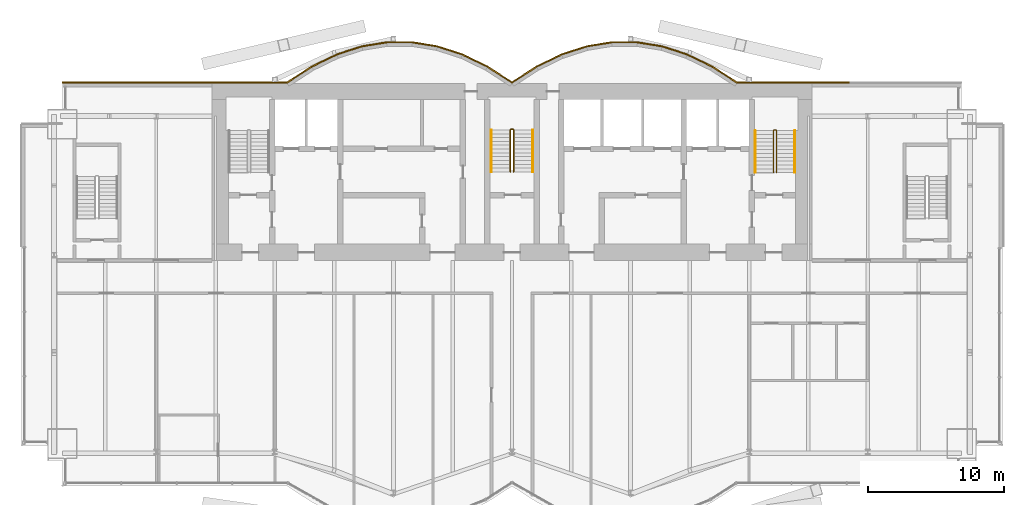
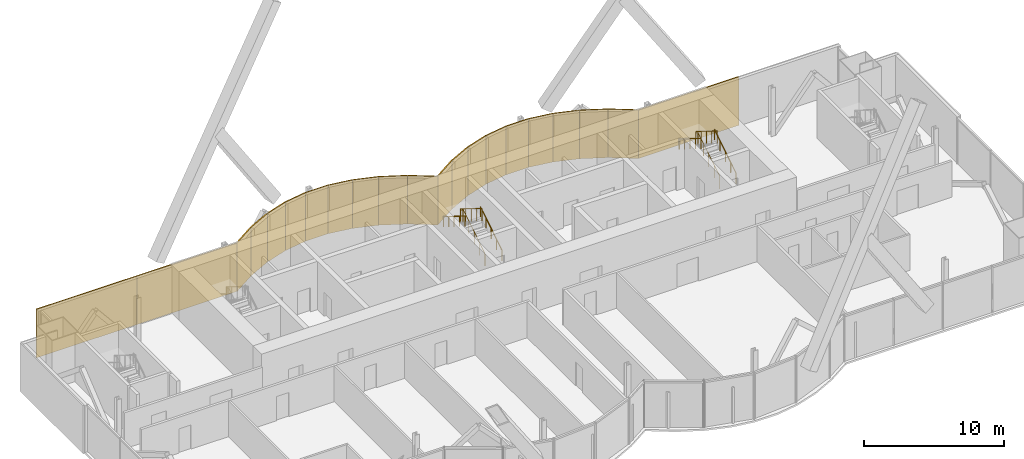
# One storey, part 21 of 22: 21 coverings, 6 railings.
"""IFC4 building model written with IfcOpenShell, lengths in metres."""

from ifc_helpers import new_model, si_unit, direction, frame, origin, origin_2d, place, context, subcontext, project, spatial, rectangle, circle, extrude, material, layer, layer_set, type_object, element, save


model = new_model("IFC4")

# Units and contexts
model_context = context("Model", 3, precision=1e-05, world=origin(), true_north=direction((0.0, 1.0)))
body_context = subcontext(model_context, "Body", "Model", "MODEL_VIEW")
ifc_project = project(units=[si_unit("LENGTHUNIT", "METRE"), si_unit("AREAUNIT", "SQUARE_METRE"), si_unit("VOLUMEUNIT", "CUBIC_METRE"), si_unit("PLANEANGLEUNIT", "RADIAN"), si_unit("MASSUNIT", "GRAM", prefix="KILO")], contexts=[model_context])

# Site, building, storey
site_placement = place(None, origin())
site = spatial("IfcSite", under=ifc_project, at=site_placement, CompositionType="ELEMENT")
building_placement = place(site_placement, origin())
building = spatial("IfcBuilding", under=site, at=building_placement, Name="Bicima Exchange Tower", CompositionType="ELEMENT")
storey_placement = place(building_placement, frame((0.0, 0.0, 254.0)))
storey = spatial("IfcBuildingStorey", under=building, at=storey_placement, Name="L57", CompositionType="ELEMENT", Elevation=254.0)

# Coverings
ifc_material_1 = material(Name="Bronze metal cladding")
ifc_layer_1 = layer(ifc_material_1, 0.004)
ifc_material_2 = material(Name="Ventilated cavity")
ifc_layer_2 = layer(ifc_material_2, 0.06)
ifc_material_3 = material(Name="Galvanised steel rail and mineral wool", Category="steel")
ifc_layer_3 = layer(ifc_material_3, 0.036)
ifc_layer_set = layer_set([ifc_layer_1, ifc_layer_2, ifc_layer_3], Name="Ventilated cavity")
covering_type = type_object("IfcCoveringType", Name="Bronze metal cladding panel 100", PredefinedType="CLADDING", material=ifc_layer_set)
covering_1_placement = place(storey_placement, frame((20.625, 0.050048828125, -0.14990234375), z_axis=(0.0, 0.0, 1.0), x_axis=(-1.0, 0.0, 0.0)))
element("IfcCovering", 1, at=covering_1_placement, inside=storey, type_object=covering_type, Name="Bronze cladding L57 1.2", PredefinedType="CLADDING", context=body_context, shape_type="SweptSolid", body=[
    extrude(rectangle(XDim=8.25, YDim=0.10009765625, at=origin_2d()), origin(), (0.0, 0.0, 1.0), 4.199951171875),
])
covering_2_placement = place(storey_placement, frame((15.610595703125, 0.634521484375, -0.14990234375), z_axis=(0.0, 0.0, 1.0), x_axis=(-0.839790466384, 0.542910648791, 0.0)))
element("IfcCovering", 2, at=covering_2_placement, inside=storey, type_object=covering_type, Name="Bronze cladding L57 2.1", PredefinedType="CLADDING", context=body_context, shape_type="SweptSolid", body=[
    extrude(rectangle(XDim=2.18310546875, YDim=0.10009765625, at=origin_2d()), origin(), (0.0, 0.0, 1.0), 4.199951171875),
])
covering_3_placement = place(storey_placement, frame((13.771728515625, 1.674560546875, -0.14990234375), z_axis=(0.0, 0.0, 1.0), x_axis=(-0.899818346812, 0.436264762204, 0.0)))
element("IfcCovering", 3, at=covering_3_placement, inside=storey, type_object=covering_type, Name="Bronze cladding L57 3.1", PredefinedType="CLADDING", context=body_context, shape_type="SweptSolid", body=[
    extrude(rectangle(XDim=2.03759765625, YDim=0.10009765625, at=origin_2d()), origin(), (0.0, 0.0, 1.0), 4.199951171875),
])
covering_4_placement = place(storey_placement, frame((11.931884765625, 2.41796875, -0.14990234375), z_axis=(0.0, 0.0, 1.0), x_axis=(-0.951524642381, 0.307572519808, 0.0)))
element("IfcCovering", 4, at=covering_4_placement, inside=storey, type_object=covering_type, Name="Bronze cladding L57 4.1", PredefinedType="CLADDING", context=body_context, shape_type="SweptSolid", body=[
    extrude(rectangle(XDim=1.9267578125, YDim=0.10009765625, at=origin_2d()), origin(), (0.0, 0.0, 1.0), 4.199951171875),
])
covering_5_placement = place(storey_placement, frame((10.09130859375, 2.8642578125, -0.14990234375), z_axis=(0.0, 0.0, 1.0), x_axis=(-0.987189786347, 0.159550386184, 0.0)))
element("IfcCovering", 5, at=covering_5_placement, inside=storey, type_object=covering_type, Name="Bronze cladding L57 5.1", PredefinedType="CLADDING", context=body_context, shape_type="SweptSolid", body=[
    extrude(rectangle(XDim=1.857177734375, YDim=0.10009765625, at=origin_2d()), origin(), (0.0, 0.0, 1.0), 4.199951171875),
])
covering_6_placement = place(storey_placement, frame((8.25, 3.012939453125, -0.14990234375), z_axis=(0.0, 0.0, 1.0), x_axis=(-1.0, 0.0, 0.0)))
element("IfcCovering", 6, at=covering_6_placement, inside=storey, type_object=covering_type, Name="Bronze cladding L57 6.1", PredefinedType="CLADDING", context=body_context, shape_type="SweptSolid", body=[
    extrude(rectangle(XDim=1.83349609375, YDim=0.10009765625, at=origin_2d()), origin(), (0.0, 0.0, 1.0), 4.199951171875),
])
covering_7_placement = place(storey_placement, frame((6.40869140625, 2.8642578125, -0.14990234375), z_axis=(0.0, 0.0, 1.0), x_axis=(-0.987189786347, -0.159550386184, 0.0)))
element("IfcCovering", 7, at=covering_7_placement, inside=storey, type_object=covering_type, Name="Bronze cladding L57 7.1", PredefinedType="CLADDING", context=body_context, shape_type="SweptSolid", body=[
    extrude(rectangle(XDim=1.857177734375, YDim=0.10009765625, at=origin_2d()), origin(), (0.0, 0.0, 1.0), 4.199951171875),
])
covering_8_placement = place(storey_placement, frame((4.568115234375, 2.41796875, -0.14990234375), z_axis=(0.0, 0.0, 1.0), x_axis=(-0.951524642381, -0.307572519808, 0.0)))
element("IfcCovering", 8, at=covering_8_placement, inside=storey, type_object=covering_type, Name="Bronze cladding L57 8.1", PredefinedType="CLADDING", context=body_context, shape_type="SweptSolid", body=[
    extrude(rectangle(XDim=1.9267578125, YDim=0.10009765625, at=origin_2d()), origin(), (0.0, 0.0, 1.0), 4.199951171875),
])
covering_9_placement = place(storey_placement, frame((2.728271484375, 1.674560546875, -0.14990234375), z_axis=(0.0, 0.0, 1.0), x_axis=(-0.899818346812, -0.436264762204, 0.0)))
element("IfcCovering", 9, at=covering_9_placement, inside=storey, type_object=covering_type, Name="Bronze cladding L57 9.1", PredefinedType="CLADDING", context=body_context, shape_type="SweptSolid", body=[
    extrude(rectangle(XDim=2.03759765625, YDim=0.10009765625, at=origin_2d()), origin(), (0.0, 0.0, 1.0), 4.199951171875),
])
for number, where, z_axis, x_axis, name in (
    (10, (0.889404296875, 0.634521484375, -0.14990234375), (0.0, 0.0, 1.0), (-0.839790466384, -0.542910648791, 0.0), "Bronze cladding L57 10.1"),
    (11, (-0.889404296875, 0.634521484375, -0.14990234375), (0.0, 0.0, 1.0), (-0.839790466384, 0.542910648791, 0.0), "Bronze cladding L57 11.1"),
):
    element("IfcCovering", number, at=place(storey_placement, frame(where, z_axis=z_axis, x_axis=x_axis)), inside=storey, type_object=covering_type, Name=name, PredefinedType="CLADDING", context=body_context, shape_type="SweptSolid", body=[
        extrude(rectangle(XDim=2.18310546875, YDim=0.10009765625, at=origin_2d()), origin(), (0.0, 0.0, 1.0), 4.199951171875),
    ])
covering_10_placement = place(storey_placement, frame((-2.728271484375, 1.674560546875, -0.14990234375), z_axis=(0.0, 0.0, 1.0), x_axis=(-0.899818346812, 0.436264762204, 0.0)))
element("IfcCovering", 12, at=covering_10_placement, inside=storey, type_object=covering_type, Name="Bronze cladding L57 12.1", PredefinedType="CLADDING", context=body_context, shape_type="SweptSolid", body=[
    extrude(rectangle(XDim=2.03759765625, YDim=0.10009765625, at=origin_2d()), origin(), (0.0, 0.0, 1.0), 4.199951171875),
])
covering_11_placement = place(storey_placement, frame((-4.568115234375, 2.41796875, -0.14990234375), z_axis=(0.0, 0.0, 1.0), x_axis=(-0.951524642381, 0.307572519808, 0.0)))
element("IfcCovering", 13, at=covering_11_placement, inside=storey, type_object=covering_type, Name="Bronze cladding L57 13.1", PredefinedType="CLADDING", context=body_context, shape_type="SweptSolid", body=[
    extrude(rectangle(XDim=1.9267578125, YDim=0.10009765625, at=origin_2d()), origin(), (0.0, 0.0, 1.0), 4.199951171875),
])
covering_12_placement = place(storey_placement, frame((-6.40869140625, 2.8642578125, -0.14990234375), z_axis=(0.0, 0.0, 1.0), x_axis=(-0.987189786347, 0.159550386184, 0.0)))
element("IfcCovering", 14, at=covering_12_placement, inside=storey, type_object=covering_type, Name="Bronze cladding L57 14.1", PredefinedType="CLADDING", context=body_context, shape_type="SweptSolid", body=[
    extrude(rectangle(XDim=1.857177734375, YDim=0.10009765625, at=origin_2d()), origin(), (0.0, 0.0, 1.0), 4.199951171875),
])
covering_13_placement = place(storey_placement, frame((-8.25, 3.012939453125, -0.14990234375), z_axis=(0.0, 0.0, 1.0), x_axis=(-1.0, 0.0, 0.0)))
element("IfcCovering", 15, at=covering_13_placement, inside=storey, type_object=covering_type, Name="Bronze cladding L57 15.1", PredefinedType="CLADDING", context=body_context, shape_type="SweptSolid", body=[
    extrude(rectangle(XDim=1.83349609375, YDim=0.10009765625, at=origin_2d()), origin(), (0.0, 0.0, 1.0), 4.199951171875),
])
covering_14_placement = place(storey_placement, frame((-10.09130859375, 2.8642578125, -0.14990234375), z_axis=(0.0, 0.0, 1.0), x_axis=(-0.987189786347, -0.159550386184, 0.0)))
element("IfcCovering", 16, at=covering_14_placement, inside=storey, type_object=covering_type, Name="Bronze cladding L57 16.1", PredefinedType="CLADDING", context=body_context, shape_type="SweptSolid", body=[
    extrude(rectangle(XDim=1.857177734375, YDim=0.10009765625, at=origin_2d()), origin(), (0.0, 0.0, 1.0), 4.199951171875),
])
covering_15_placement = place(storey_placement, frame((-11.931884765625, 2.41796875, -0.14990234375), z_axis=(0.0, 0.0, 1.0), x_axis=(-0.951524642381, -0.307572519808, 0.0)))
element("IfcCovering", 17, at=covering_15_placement, inside=storey, type_object=covering_type, Name="Bronze cladding L57 17.1", PredefinedType="CLADDING", context=body_context, shape_type="SweptSolid", body=[
    extrude(rectangle(XDim=1.9267578125, YDim=0.10009765625, at=origin_2d()), origin(), (0.0, 0.0, 1.0), 4.199951171875),
])
covering_16_placement = place(storey_placement, frame((-13.771728515625, 1.674560546875, -0.14990234375), z_axis=(0.0, 0.0, 1.0), x_axis=(-0.899818346812, -0.436264762204, 0.0)))
element("IfcCovering", 18, at=covering_16_placement, inside=storey, type_object=covering_type, Name="Bronze cladding L57 18.1", PredefinedType="CLADDING", context=body_context, shape_type="SweptSolid", body=[
    extrude(rectangle(XDim=2.03759765625, YDim=0.10009765625, at=origin_2d()), origin(), (0.0, 0.0, 1.0), 4.199951171875),
])
covering_17_placement = place(storey_placement, frame((-15.610595703125, 0.634521484375, -0.14990234375), z_axis=(0.0, 0.0, 1.0), x_axis=(-0.839790466384, -0.542910648791, 0.0)))
element("IfcCovering", 19, at=covering_17_placement, inside=storey, type_object=covering_type, Name="Bronze cladding L57 19.1", PredefinedType="CLADDING", context=body_context, shape_type="SweptSolid", body=[
    extrude(rectangle(XDim=2.18310546875, YDim=0.10009765625, at=origin_2d()), origin(), (0.0, 0.0, 1.0), 4.199951171875),
])
for number, where, z_axis, x_axis, name in (
    (20, (-20.625, 0.050048828125, -0.14990234375), (0.0, 0.0, 1.0), (-1.0, 0.0, 0.0), "Bronze cladding L57 20.1"),
    (21, (-28.875, 0.050048828125, -0.14990234375), (0.0, 0.0, 1.0), (-1.0, 0.0, 0.0), "Bronze cladding L57 20.2"),
):
    element("IfcCovering", number, at=place(storey_placement, frame(where, z_axis=z_axis, x_axis=x_axis)), inside=storey, type_object=covering_type, Name=name, PredefinedType="CLADDING", context=body_context, shape_type="SweptSolid", body=[
        extrude(rectangle(XDim=8.25, YDim=0.10009765625, at=origin_2d()), origin(), (0.0, 0.0, 1.0), 4.199951171875),
    ])

# Railings
ifc_material_4 = material(Name="Stainless steel", Category="steel")
railing_type_1 = type_object("IfcRailingType", Name="Stair guard 1100", PredefinedType="GUARDRAIL", material=ifc_material_4)
railing_1_placement = place(storey_placement, frame((0.125, -6.5, 0.175048828125)))
element("IfcRailing", 22, at=railing_1_placement, inside=storey, type_object=railing_type_1, Name="L57 ST-C stair guard 1", PredefinedType="GUARDRAIL", context=body_context, shape_type="SweptSolid", body=[
    extrude(circle(Radius=0.02392578125, at=origin_2d()), frame((0.0, 0.0, 1.076171875), z_axis=(0.0, 0.847998304005, 0.529998940003), x_axis=(-1.0, 0.0, 0.0)), (0.0, 0.0, 1.0), 3.632080078125),
    extrude(circle(Radius=0.02392578125, at=origin_2d()), frame((0.0, 3.080078125, 3.0009765625), z_axis=(-0.708833529934, 0.705375805398, 0.0), x_axis=(-0.705375805398, -0.708833529934, 0.0)), (0.0, 0.0, 1.0), 0.070556640625),
    extrude(circle(Radius=0.02392578125, at=origin_2d()), frame((-0.050048828125, 3.1298828125, 3.0009765625), z_axis=(-1.0, 0.0, 0.0), x_axis=(0.0, -1.0, 0.0)), (0.0, 0.0, 1.0), 0.14990234375),
    extrude(circle(Radius=0.02392578125, at=origin_2d()), frame((-0.199951171875, 3.1298828125, 3.0009765625), z_axis=(-0.265474339444, -0.264179342666, 0.927217692888), x_axis=(0.705375805398, -0.708833529934, 0.0)), (0.0, 0.0, 1.0), 0.1884765625),
    extrude(circle(Radius=0.02392578125, at=origin_2d()), frame((-0.25, 3.080078125, 3.17578125), z_axis=(0.0, -0.847998304005, 0.529998940003), x_axis=(1.0, 0.0, 0.0)), (0.0, 0.0, 1.0), 3.632080078125),
    extrude(circle(Radius=0.02099609375, at=origin_2d()), origin(), (0.0, 0.0, 1.0), 1.052001953125),
    extrude(circle(Radius=0.02099609375, at=origin_2d()), frame((0.0, 0.77001953125, 0.481201171875)), (0.0, 0.0, 1.0), 1.052001953125),
    extrude(circle(Radius=0.02099609375, at=origin_2d()), frame((0.0, 1.5400390625, 0.96240234375)), (0.0, 0.0, 1.0), 1.052001953125),
    extrude(circle(Radius=0.02099609375, at=origin_2d()), frame((0.0, 2.31005859375, 1.44384765625)), (0.0, 0.0, 1.0), 1.052001953125),
    extrude(circle(Radius=0.02099609375, at=origin_2d()), frame((0.0, 3.080078125, 1.925048828125)), (0.0, 0.0, 1.0), 1.052001953125),
    extrude(circle(Radius=0.02099609375, at=origin_2d()), frame((-0.050048828125, 3.1298828125, 1.925048828125)), (0.0, 0.0, 1.0), 1.052001953125),
    extrude(circle(Radius=0.02099609375, at=origin_2d()), frame((-0.199951171875, 3.1298828125, 1.925048828125)), (0.0, 0.0, 1.0), 1.052001953125),
    extrude(circle(Radius=0.02099609375, at=origin_2d()), frame((-0.25, 3.080078125, 2.099853515625)), (0.0, 0.0, 1.0), 1.052001953125),
    extrude(circle(Radius=0.02099609375, at=origin_2d()), frame((-0.25, 2.31005859375, 2.5810546875)), (0.0, 0.0, 1.0), 1.052001953125),
    extrude(circle(Radius=0.02099609375, at=origin_2d()), frame((-0.25, 1.5400390625, 3.0625)), (0.0, 0.0, 1.0), 1.052001953125),
    extrude(circle(Radius=0.02099609375, at=origin_2d()), frame((-0.25, 0.77001953125, 3.543701171875)), (0.0, 0.0, 1.0), 1.052001953125),
    extrude(circle(Radius=0.02099609375, at=origin_2d()), frame((-0.25, 0.0, 4.02490234375)), (0.0, 0.0, 1.0), 1.052001953125),
])
railing_2_placement = place(storey_placement, frame((19.39990234375, -6.550048828125, 0.175048828125)))
element("IfcRailing", 23, at=railing_2_placement, inside=storey, type_object=railing_type_1, Name="L57 ST-E stair guard 1", PredefinedType="GUARDRAIL", context=body_context, shape_type="SweptSolid", body=[
    extrude(circle(Radius=0.02392578125, at=origin_2d()), frame((0.0, 0.0, 1.076171875), z_axis=(0.0, 0.847998304005, 0.529998940003), x_axis=(-1.0, 0.0, 0.0)), (0.0, 0.0, 1.0), 3.632080078125),
    extrude(circle(Radius=0.02392578125, at=origin_2d()), frame((0.0, 3.080078125, 3.0009765625), z_axis=(-0.705375805398, 0.708833529934, 0.0), x_axis=(-0.708833529934, -0.705375805398, 0.0)), (0.0, 0.0, 1.0), 0.070556640625),
    extrude(circle(Radius=0.02392578125, at=origin_2d()), frame((-0.0498046875, 3.130126953125, 3.0009765625), z_axis=(-1.0, 0.0, 0.0), x_axis=(0.0, -1.0, 0.0)), (0.0, 0.0, 1.0), 0.10009765625),
    extrude(circle(Radius=0.02392578125, at=origin_2d()), frame((-0.14990234375, 3.130126953125, 3.0009765625), z_axis=(-0.265383341853, -0.265383341853, 0.926899867156), x_axis=(0.707106781187, -0.707106781187, 0.0)), (0.0, 0.0, 1.0), 0.1884765625),
    extrude(circle(Radius=0.02392578125, at=origin_2d()), frame((-0.199951171875, 3.080078125, 3.17578125), z_axis=(0.0, -0.847998304005, 0.529998940003), x_axis=(1.0, 0.0, 0.0)), (0.0, 0.0, 1.0), 3.632080078125),
    extrude(circle(Radius=0.02099609375, at=origin_2d()), origin(), (0.0, 0.0, 1.0), 1.052001953125),
    extrude(circle(Radius=0.02099609375, at=origin_2d()), frame((0.0, 0.77001953125, 0.481201171875)), (0.0, 0.0, 1.0), 1.052001953125),
    extrude(circle(Radius=0.02099609375, at=origin_2d()), frame((0.0, 1.5400390625, 0.96240234375)), (0.0, 0.0, 1.0), 1.052001953125),
    extrude(circle(Radius=0.02099609375, at=origin_2d()), frame((0.0, 2.31005859375, 1.44384765625)), (0.0, 0.0, 1.0), 1.052001953125),
    extrude(circle(Radius=0.02099609375, at=origin_2d()), frame((0.0, 3.080078125, 1.925048828125)), (0.0, 0.0, 1.0), 1.052001953125),
    extrude(circle(Radius=0.02099609375, at=origin_2d()), frame((-0.0498046875, 3.130126953125, 1.925048828125)), (0.0, 0.0, 1.0), 1.052001953125),
    extrude(circle(Radius=0.02099609375, at=origin_2d()), frame((-0.14990234375, 3.130126953125, 1.925048828125)), (0.0, 0.0, 1.0), 1.052001953125),
    extrude(circle(Radius=0.02099609375, at=origin_2d()), frame((-0.199951171875, 3.080078125, 2.099853515625)), (0.0, 0.0, 1.0), 1.052001953125),
    extrude(circle(Radius=0.02099609375, at=origin_2d()), frame((-0.199951171875, 2.31005859375, 2.5810546875)), (0.0, 0.0, 1.0), 1.052001953125),
    extrude(circle(Radius=0.02099609375, at=origin_2d()), frame((-0.199951171875, 1.5400390625, 3.0625)), (0.0, 0.0, 1.0), 1.052001953125),
    extrude(circle(Radius=0.02099609375, at=origin_2d()), frame((-0.199951171875, 0.77001953125, 3.543701171875)), (0.0, 0.0, 1.0), 1.052001953125),
    extrude(circle(Radius=0.02099609375, at=origin_2d()), frame((-0.199951171875, 0.0, 4.02490234375)), (0.0, 0.0, 1.0), 1.052001953125),
])
railing_type_2 = type_object("IfcRailingType", Name="Stair handrail 900", PredefinedType="HANDRAIL", material=ifc_material_4)
railing_3_placement = place(storey_placement, frame((1.52490234375, -6.5, 0.175048828125)))
element("IfcRailing", 24, at=railing_3_placement, inside=storey, type_object=railing_type_2, Name="L57 ST-C stair handrail 1", PredefinedType="HANDRAIL", context=body_context, shape_type="SweptSolid", body=[
    extrude(circle(Radius=0.02392578125, at=origin_2d()), frame((0.0, 0.0, 0.8759765625), z_axis=(0.0, 0.847998304005, 0.529998940003), x_axis=(-1.0, 0.0, 0.0)), (0.0, 0.0, 1.0), 3.632080078125),
    extrude(circle(Radius=0.02099609375, at=origin_2d()), origin(), (0.0, 0.0, 1.0), 0.851806640625),
    extrude(circle(Radius=0.02099609375, at=origin_2d()), frame((0.0, 0.77001953125, 0.481201171875)), (0.0, 0.0, 1.0), 0.851806640625),
    extrude(circle(Radius=0.02099609375, at=origin_2d()), frame((0.0, 1.5400390625, 0.96240234375)), (0.0, 0.0, 1.0), 0.851806640625),
    extrude(circle(Radius=0.02099609375, at=origin_2d()), frame((0.0, 2.31005859375, 1.44384765625)), (0.0, 0.0, 1.0), 0.851806640625),
    extrude(circle(Radius=0.02099609375, at=origin_2d()), frame((0.0, 3.080078125, 1.925048828125)), (0.0, 0.0, 1.0), 0.851806640625),
])
railing_4_placement = place(storey_placement, frame((-1.52490234375, -3.419921875, 2.303955078125)))
element("IfcRailing", 25, at=railing_4_placement, inside=storey, type_object=railing_type_2, Name="L57 ST-C stair handrail 2", PredefinedType="HANDRAIL", context=body_context, shape_type="SweptSolid", body=[
    extrude(circle(Radius=0.02392578125, at=origin_2d()), frame((0.0, 0.0, 0.8759765625), z_axis=(0.0, -0.847998304005, 0.529998940003), x_axis=(1.0, 0.0, 0.0)), (0.0, 0.0, 1.0), 3.632080078125),
    extrude(circle(Radius=0.02099609375, at=origin_2d()), origin(), (0.0, 0.0, 1.0), 0.851806640625),
    extrude(circle(Radius=0.02099609375, at=origin_2d()), frame((0.0, -0.77001953125, 0.481201171875)), (0.0, 0.0, 1.0), 0.851806640625),
    extrude(circle(Radius=0.02099609375, at=origin_2d()), frame((0.0, -1.5400390625, 0.96240234375)), (0.0, 0.0, 1.0), 0.851806640625),
    extrude(circle(Radius=0.02099609375, at=origin_2d()), frame((0.0, -2.31005859375, 1.44384765625)), (0.0, 0.0, 1.0), 0.851806640625),
    extrude(circle(Radius=0.02099609375, at=origin_2d()), frame((0.0, -3.080078125, 1.925048828125)), (0.0, 0.0, 1.0), 0.851806640625),
])
railing_5_placement = place(storey_placement, frame((20.75, -6.550048828125, 0.175048828125)))
element("IfcRailing", 26, at=railing_5_placement, inside=storey, type_object=railing_type_2, Name="L57 ST-E stair handrail 1", PredefinedType="HANDRAIL", context=body_context, shape_type="SweptSolid", body=[
    extrude(circle(Radius=0.02392578125, at=origin_2d()), frame((0.0, 0.0, 0.8759765625), z_axis=(0.0, 0.847998304005, 0.529998940003), x_axis=(-1.0, 0.0, 0.0)), (0.0, 0.0, 1.0), 3.632080078125),
    extrude(circle(Radius=0.02099609375, at=origin_2d()), origin(), (0.0, 0.0, 1.0), 0.851806640625),
    extrude(circle(Radius=0.02099609375, at=origin_2d()), frame((0.0, 0.77001953125, 0.481201171875)), (0.0, 0.0, 1.0), 0.851806640625),
    extrude(circle(Radius=0.02099609375, at=origin_2d()), frame((0.0, 1.5400390625, 0.96240234375)), (0.0, 0.0, 1.0), 0.851806640625),
    extrude(circle(Radius=0.02099609375, at=origin_2d()), frame((0.0, 2.31005859375, 1.44384765625)), (0.0, 0.0, 1.0), 0.851806640625),
    extrude(circle(Radius=0.02099609375, at=origin_2d()), frame((0.0, 3.080078125, 1.925048828125)), (0.0, 0.0, 1.0), 0.851806640625),
])
railing_6_placement = place(storey_placement, frame((17.85009765625, -3.469970703125, 2.303955078125)))
element("IfcRailing", 27, at=railing_6_placement, inside=storey, type_object=railing_type_2, Name="L57 ST-E stair handrail 2", PredefinedType="HANDRAIL", context=body_context, shape_type="SweptSolid", body=[
    extrude(circle(Radius=0.02392578125, at=origin_2d()), frame((0.0, 0.0, 0.8759765625), z_axis=(0.0, -0.847998304005, 0.529998940003), x_axis=(1.0, 0.0, 0.0)), (0.0, 0.0, 1.0), 3.632080078125),
    extrude(circle(Radius=0.02099609375, at=origin_2d()), origin(), (0.0, 0.0, 1.0), 0.851806640625),
    extrude(circle(Radius=0.02099609375, at=origin_2d()), frame((0.0, -0.77001953125, 0.481201171875)), (0.0, 0.0, 1.0), 0.851806640625),
    extrude(circle(Radius=0.02099609375, at=origin_2d()), frame((0.0, -1.5400390625, 0.96240234375)), (0.0, 0.0, 1.0), 0.851806640625),
    extrude(circle(Radius=0.02099609375, at=origin_2d()), frame((0.0, -2.31005859375, 1.44384765625)), (0.0, 0.0, 1.0), 0.851806640625),
    extrude(circle(Radius=0.02099609375, at=origin_2d()), frame((0.0, -3.080078125, 1.925048828125)), (0.0, 0.0, 1.0), 0.851806640625),
])

save(model, "model.ifc")
